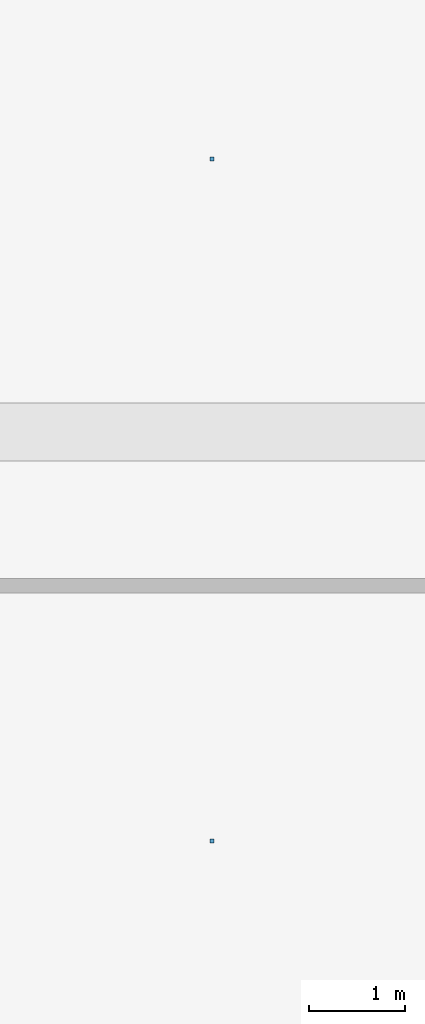
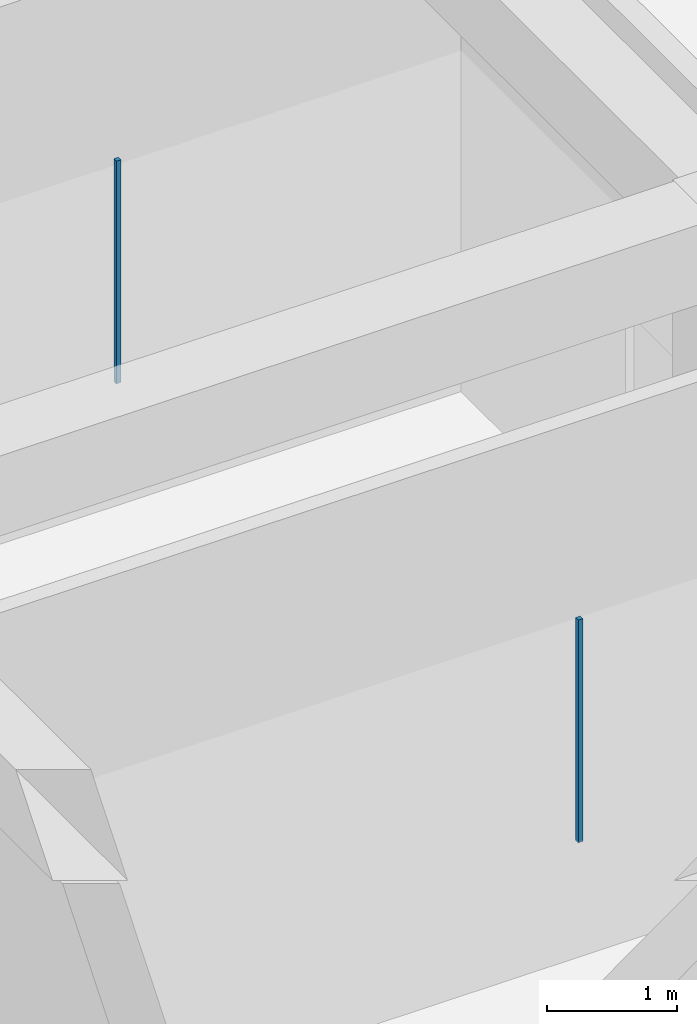
# One storey, part 120 of 167: 2 discrete accessories.
"""IFC4 building model written with IfcOpenShell, lengths in metres."""

from ifc_helpers import new_model, si_unit, direction, frame, origin, origin_2d, place, context, subcontext, project, spatial, rectangle, extrude, material, type_object, element, save


model = new_model("IFC4")

# Units and contexts
model_context = context("Model", 3, precision=1e-05, world=origin(), true_north=direction((0.0, 1.0)))
body_context = subcontext(model_context, "Body", "Model", "MODEL_VIEW")
ifc_project = project(units=[si_unit("LENGTHUNIT", "METRE"), si_unit("AREAUNIT", "SQUARE_METRE"), si_unit("VOLUMEUNIT", "CUBIC_METRE"), si_unit("PLANEANGLEUNIT", "RADIAN"), si_unit("MASSUNIT", "GRAM", prefix="KILO")], contexts=[model_context])

# Site, building, storey
site_placement = place(None, origin())
site = spatial("IfcSite", under=ifc_project, at=site_placement, CompositionType="ELEMENT")
building_placement = place(site_placement, origin())
building = spatial("IfcBuilding", under=site, at=building_placement, Name="Varncliffe General Hospital", CompositionType="ELEMENT")
storey_placement = place(building_placement, origin())
storey = spatial("IfcBuildingStorey", under=building, at=storey_placement, Name="L00", CompositionType="ELEMENT", Elevation=0.0)

# Discrete accessories
ifc_material = material(Name="Powder-coated hospital steel guardrail and handrail", Category="steel")
discrete_accessory_type = type_object("IfcDiscreteAccessoryType", Name="Suspended Ceiling Hanger Bracket CH01", PredefinedType="BRACKET", material=ifc_material)
for number, where, z_axis, x_axis, name in (
    (1, (155.800048828125, 2.9423828125, 3.18994140625), (0.0, 0.0, 1.0), (1.0, 0.0, 0.0), "L00 Suspended Ceiling Hanger 59"),
    (2, (155.800048828125, 10.04248046875, 3.18994140625), (0.0, 0.0, 1.0), (1.0, 0.0, 0.0), "L00 Suspended Ceiling Hanger 60"),
):
    element("IfcDiscreteAccessory", number, at=place(storey_placement, frame(where, z_axis=z_axis, x_axis=x_axis)), inside=storey, type_object=discrete_accessory_type, Name=name, PredefinedType="BRACKET", context=body_context, shape_type="SweptSolid", body=[
        extrude(rectangle(XDim=0.0400390625, YDim=0.0400390625, at=origin_2d()), origin(), (0.0, 0.0, 1.0), 2.090087890625),
    ])

save(model, "model.ifc")
